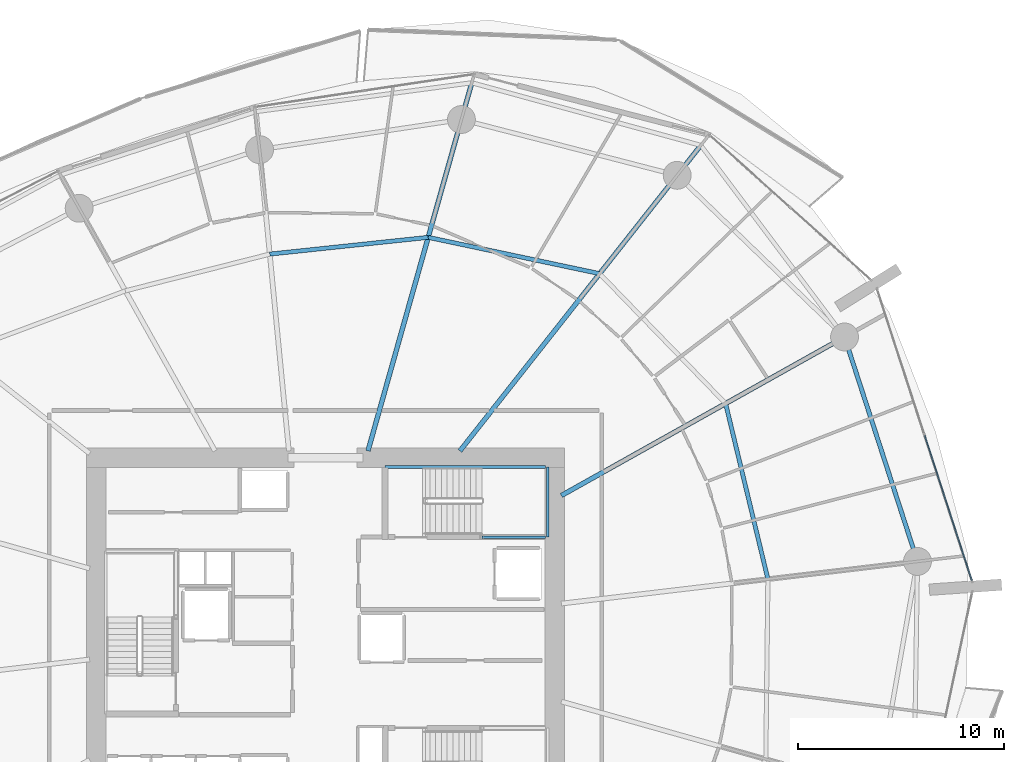
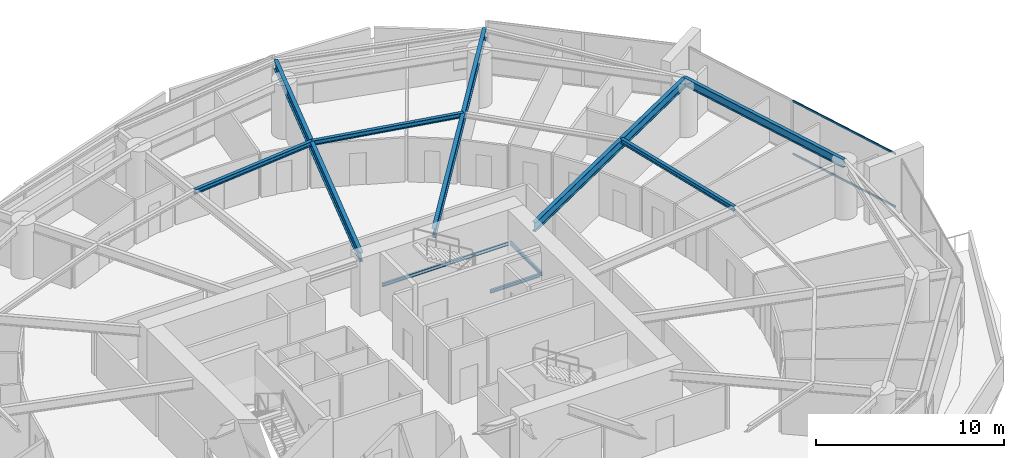
# One storey, part 14 of 31: 10 beams, 2 members, 1 element without a shape of its own.
"""IFC4 building model written with IfcOpenShell, lengths in metres."""

from ifc_helpers import new_model, si_unit, direction, frame, origin, origin_2d, place, context, subcontext, project, spatial, rectangle, i_section, extrude, material, layer, layer_set, material_profile, profile_set, type_object, element, aggregate, save


model = new_model("IFC4")

# Units and contexts
model_context = context("Model", 3, precision=1e-05, world=origin(), true_north=direction((0.0, 1.0)))
body_context = subcontext(model_context, "Body", "Model", "MODEL_VIEW")
ifc_project = project(units=[si_unit("LENGTHUNIT", "METRE"), si_unit("AREAUNIT", "SQUARE_METRE"), si_unit("VOLUMEUNIT", "CUBIC_METRE"), si_unit("PLANEANGLEUNIT", "RADIAN"), si_unit("MASSUNIT", "GRAM", prefix="KILO")], contexts=[model_context])

# Site, building, storey
site_placement = place(None, origin())
site = spatial("IfcSite", under=ifc_project, at=site_placement, CompositionType="ELEMENT")
building_placement = place(site_placement, origin())
building = spatial("IfcBuilding", under=site, at=building_placement, Name="Kazma Halo Residences", CompositionType="ELEMENT")
storey_placement = place(building_placement, frame((0.0, 0.0, 37.64990234375)))
storey = spatial("IfcBuildingStorey", under=building, at=storey_placement, Name="L08", CompositionType="ELEMENT", Elevation=37.64990234375)

# Beams
ifc_material_1 = material(Name="Steel S355", Category="steel")
ifc_material_profile_1 = material_profile(ifc_material_1, i_section(OverallWidth=0.22802734375, OverallDepth=0.60791015625, WebThickness=0.01123046875, FlangeThickness=0.017333984375, FilletRadius=0.01806640625, at=origin_2d()), Name="W610x113")
ifc_profile_set_1 = profile_set([ifc_material_profile_1], Name="Steel S355")
beam_type_1 = type_object("IfcBeamType", Name="BM-RAD-W610", PredefinedType="BEAM", material=ifc_profile_set_1)
beam_1_placement = place(storey_placement, frame((59.85009765625, 48.63623046875, 3.196044921875), z_axis=(0.872489859828, 0.48863221803, 0.0), x_axis=(-0.48863221803, 0.872489859828, 0.0)))
element("IfcBeam", 1, at=beam_1_placement, inside=storey, type_object=beam_type_1, Name="L08 radial floor beam 01", PredefinedType="BEAM", context=body_context, shape_type="SweptSolid", body=[
    extrude(i_section(OverallWidth=0.22802734375, OverallDepth=0.60791015625, WebThickness=0.01123046875, FlangeThickness=0.017333984375, FilletRadius=0.01806640625, at=origin_2d()), origin(), (0.0, 0.0, 1.0), 15.71923828125),
])
beam_2_placement = place(storey_placement, frame((54.9375, 50.800048828125, 3.196044921875), z_axis=(0.619092154321, 0.785318345932, 0.0), x_axis=(-0.785318345932, 0.619092154321, 0.0)))
element("IfcBeam", 2, at=beam_2_placement, inside=storey, type_object=beam_type_1, Name="L08 radial floor beam 02", PredefinedType="BEAM", context=body_context, shape_type="SweptSolid", body=[
    extrude(i_section(OverallWidth=0.22802734375, OverallDepth=0.60791015625, WebThickness=0.01123046875, FlangeThickness=0.017333984375, FilletRadius=0.01806640625, at=origin_2d()), origin(), (0.0, 0.0, 1.0), 18.84375),
])
beam_3_placement = place(storey_placement, frame((50.48193359375, 50.800048828125, 3.196044921875), z_axis=(0.271442010129, 0.962454796412, 0.0), x_axis=(-0.962454796412, 0.271442010129, 0.0)))
element("IfcBeam", 3, at=beam_3_placement, inside=storey, type_object=beam_type_1, Name="L08 radial floor beam 03", PredefinedType="BEAM", context=body_context, shape_type="SweptSolid", body=[
    extrude(i_section(OverallWidth=0.22802734375, OverallDepth=0.60791015625, WebThickness=0.01123046875, FlangeThickness=0.017333984375, FilletRadius=0.01806640625, at=origin_2d()), origin(), (0.0, 0.0, 1.0), 18.525390625),
])
ifc_material_profile_2 = material_profile(ifc_material_1, i_section(OverallWidth=0.202880859375, OverallDepth=0.302978515625, WebThickness=0.007568359375, FlangeThickness=0.01318359375, FilletRadius=0.013916015625, at=origin_2d()), Name="W310x60")
ifc_profile_set_2 = profile_set([ifc_material_profile_2], Name="Steel S355")
beam_type_2 = type_object("IfcBeamType", Name="BM-SEC-W310A", PredefinedType="JOIST", material=ifc_profile_set_2)
beam_4_placement = place(storey_placement, frame((61.703857421875, 59.383056640625, 3.3486328125), z_axis=(-0.97831665719, 0.207114746615, 0.0), x_axis=(-0.207114746615, -0.97831665719, 0.0)))
element("IfcBeam", 4, at=beam_4_placement, inside=storey, type_object=beam_type_2, Name="L08 circumferential floor joist 02", PredefinedType="JOIST", context=body_context, shape_type="SweptSolid", body=[
    extrude(i_section(OverallWidth=0.202880859375, OverallDepth=0.302978515625, WebThickness=0.007568359375, FlangeThickness=0.01318359375, FilletRadius=0.013916015625, at=origin_2d()), origin(), (0.0, 0.0, 1.0), 8.489501953125),
])
beam_5_placement = place(storey_placement, frame((53.3984375, 61.141357421875, 3.3486328125), z_axis=(-0.994456114777, -0.10515244069, 0.0), x_axis=(0.10515244069, -0.994456114777, 0.0)))
element("IfcBeam", 5, at=beam_5_placement, inside=storey, type_object=beam_type_2, Name="L08 circumferential floor joist 03", PredefinedType="JOIST", context=body_context, shape_type="SweptSolid", body=[
    extrude(i_section(OverallWidth=0.202880859375, OverallDepth=0.302978515625, WebThickness=0.007568359375, FlangeThickness=0.01318359375, FilletRadius=0.013916015625, at=origin_2d()), origin(), (0.0, 0.0, 1.0), 7.717529296875),
])
beam_6_placement = place(storey_placement, frame((69.853759765625, 44.586669921875, 3.3486328125), z_axis=(-0.234233116199, 0.972180460242, 0.0), x_axis=(-0.972180460242, -0.234233116199, 0.0)))
element("IfcBeam", 6, at=beam_6_placement, inside=storey, type_object=beam_type_2, Name="L08 circumferential floor joist 16", PredefinedType="JOIST", context=body_context, shape_type="SweptSolid", body=[
    extrude(i_section(OverallWidth=0.202880859375, OverallDepth=0.302978515625, WebThickness=0.007568359375, FlangeThickness=0.01318359375, FilletRadius=0.013916015625, at=origin_2d()), origin(), (0.0, 0.0, 1.0), 8.748046875),
])
ifc_material_profile_3 = material_profile(ifc_material_1, i_section(OverallWidth=0.208984375, OverallDepth=0.532958984375, WebThickness=0.01025390625, FlangeThickness=0.015625, FilletRadius=0.01611328125, at=origin_2d()), Name="W530x92")
ifc_profile_set_3 = profile_set([ifc_material_profile_3], Name="Steel S355")
beam_type_3 = type_object("IfcBeamType", Name="BM-SPN-W530", PredefinedType="BEAM", material=ifc_profile_set_3)
beam_7_placement = place(storey_placement, frame((77.097900390625, 45.444091796875, 3.233642578125), z_axis=(-0.309024264898, 0.951054153928, 0.0), x_axis=(-0.951054153928, -0.309024264898, 0.0)))
element("IfcBeam", 7, at=beam_7_placement, inside=storey, type_object=beam_type_3, Name="L08 perimeter ring beam 16", PredefinedType="BEAM", context=body_context, shape_type="SweptSolid", body=[
    extrude(i_section(OverallWidth=0.208984375, OverallDepth=0.532958984375, WebThickness=0.01025390625, FlangeThickness=0.015625, FilletRadius=0.01611328125, at=origin_2d()), origin(), (0.0, 0.0, 1.0), 11.4326171875),
])
ifc_material_profile_4 = material_profile(ifc_material_1, i_section(OverallWidth=0.133056640625, OverallDepth=0.20703125, WebThickness=0.005859375, FlangeThickness=0.00830078125, FilletRadius=0.010009765625, at=origin_2d()), Name="W200x26.6")
ifc_profile_set_4 = profile_set([ifc_material_profile_4], Name="Steel S355")
beam_type_4 = type_object("IfcBeamType", Name="BM-TRIM-W200", PredefinedType="BEAM", material=ifc_profile_set_4)
beam_8_placement = place(storey_placement, frame((51.31005859375, 50.02001953125, 1.570068359375), z_axis=(1.0, 0.0, 0.0), x_axis=(0.0, 1.0, 0.0)))
element("IfcBeam", 8, at=beam_8_placement, inside=storey, type_object=beam_type_4, Name="L08 ST-02 landing north wall ledger", PredefinedType="BEAM", context=body_context, shape_type="SweptSolid", body=[
    extrude(i_section(OverallWidth=0.133056640625, OverallDepth=0.20703125, WebThickness=0.005859375, FlangeThickness=0.00830078125, FilletRadius=0.010009765625, at=origin_2d()), origin(), (0.0, 0.0, 1.0), 7.760009765625),
])
beam_9_placement = place(storey_placement, frame((56.0, 46.6201171875, 1.570068359375), z_axis=(1.0, 0.0, 0.0), x_axis=(0.0, 1.0, 0.0)))
element("IfcBeam", 9, at=beam_9_placement, inside=storey, type_object=beam_type_4, Name="L08 ST-02 landing south wall ledger", PredefinedType="BEAM", context=body_context, shape_type="SweptSolid", body=[
    extrude(i_section(OverallWidth=0.133056640625, OverallDepth=0.20703125, WebThickness=0.005859375, FlangeThickness=0.00830078125, FilletRadius=0.010009765625, at=origin_2d()), origin(), (0.0, 0.0, 1.0), 3.070068359375),
])
beam_10_placement = place(storey_placement, frame((59.18994140625, 46.6201171875, 1.570068359375), z_axis=(0.0, 1.0, 0.0), x_axis=(-1.0, 0.0, 0.0)))
element("IfcBeam", 10, at=beam_10_placement, inside=storey, type_object=beam_type_4, Name="L08 ST-02 landing end wall ledger", PredefinedType="BEAM", context=body_context, shape_type="SweptSolid", body=[
    extrude(i_section(OverallWidth=0.133056640625, OverallDepth=0.20703125, WebThickness=0.005859375, FlangeThickness=0.00830078125, FilletRadius=0.010009765625, at=origin_2d()), origin(), (0.0, 0.0, 1.0), 3.39990234375),
])

# Curtain wall, members
ifc_material_2 = material(Name="Aluminium AW-6063 T6 and Triple-Silver Low-E Glass", Category="aluminium")
ifc_layer = layer(ifc_material_2, 0.159912109375)
ifc_layer_set = layer_set([ifc_layer], Name="Aluminium AW-6063 T6 and Triple-Silver Low-E Glass")
curtain_wall_type = type_object("IfcCurtainWallType", Name="CW-SYS-2", PredefinedType="NOTDEFINED", material=ifc_layer_set)
curtain_wall_placement = place(storey_placement, origin())
curtain_wall = element("IfcCurtainWall", 11, at=curtain_wall_placement, inside=storey, type_object=curtain_wall_type, Name="L08 unitised curtain wall B16", PredefinedType="NOTDEFINED")
ifc_material_3 = material(Name="Aluminium AW-6063 T6", Category="aluminium")
ifc_material_profile_5 = material_profile(ifc_material_3, rectangle(XDim=0.06005859375, YDim=0.1201171875, at=origin_2d()), Name="CWT-60x120")
ifc_profile_set_5 = profile_set([ifc_material_profile_5], Name="Aluminium AW-6063 T6")
member_type = type_object("IfcMemberType", Name="CW-SYS-2-TRN", PredefinedType="USERDEFINED", material=ifc_profile_set_5)
member_1_placement = place(storey_placement, frame((79.72900390625, 44.52783203125, 0.030029296875), z_axis=(-0.309034393795, 0.951050862705, 0.0), x_axis=(-0.951050862705, -0.309034393795, 0.0)))
member_1 = element("IfcMember", 12, at=member_1_placement, type_object=member_type, Name="CWS-2 transom 1.1", ObjectType="TRANSOM", PredefinedType="USERDEFINED", context=body_context, shape_type="SweptSolid", body=[
    extrude(rectangle(XDim=0.06005859375, YDim=0.1201171875, at=origin_2d()), origin(), (0.0, 0.0, 1.0), 7.370849609375),
])
member_2_placement = place(storey_placement, frame((79.72900390625, 44.52783203125, 3.47021484375), z_axis=(-0.309034393795, 0.951050862705, 0.0), x_axis=(-0.951050862705, -0.309034393795, 0.0)))
member_2 = element("IfcMember", 13, at=member_2_placement, type_object=member_type, Name="CWS-2 transom 1.2", ObjectType="TRANSOM", PredefinedType="USERDEFINED", context=body_context, shape_type="SweptSolid", body=[
    extrude(rectangle(XDim=0.06005859375, YDim=0.1201171875, at=origin_2d()), origin(), (0.0, 0.0, 1.0), 7.370849609375),
])
aggregate(curtain_wall, [member_1, member_2])

save(model, "model.ifc")
